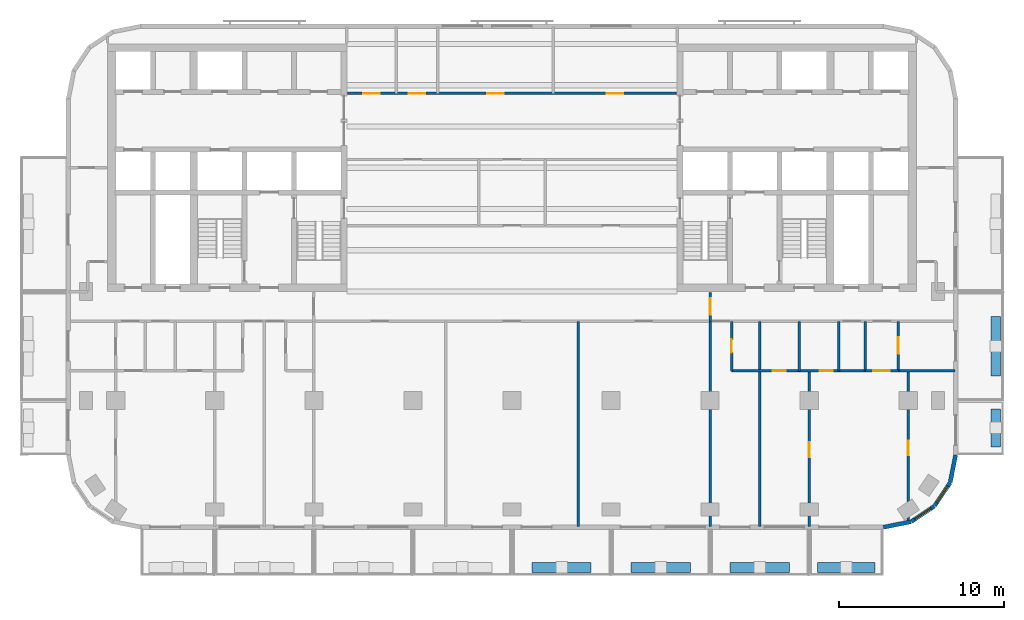
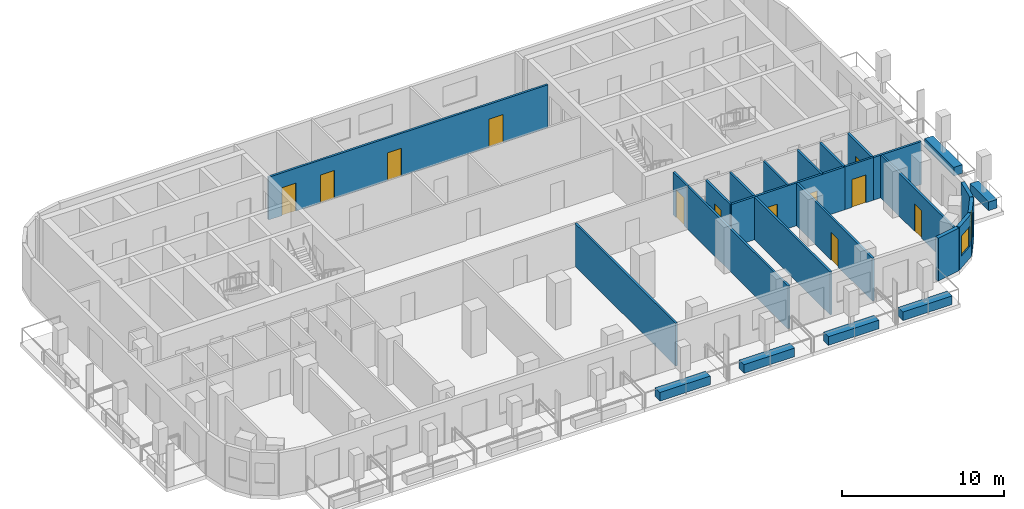
# One storey, part 5 of 11: 25 walls, 12 doors, 2 windows, 14 openings.
"""IFC4 building model written with IfcOpenShell, lengths in metres."""

from ifc_helpers import new_model, si_unit, direction, frame, frame_2d, origin, place, context, subcontext, project, spatial, rectangle, extrude, material, layer, layer_set, type_object, element, fill, save


model = new_model("IFC4")

# Units and contexts
model_context = context("Model", 3, precision=1e-05, world=origin(), true_north=direction((0.0, 1.0)))
body_context = subcontext(model_context, "Body", "Model", "MODEL_VIEW")
ifc_project = project(units=[si_unit("LENGTHUNIT", "METRE"), si_unit("AREAUNIT", "SQUARE_METRE"), si_unit("VOLUMEUNIT", "CUBIC_METRE"), si_unit("PLANEANGLEUNIT", "RADIAN"), si_unit("MASSUNIT", "GRAM", prefix="KILO")], contexts=[model_context])

# Site, building, storey
site_placement = place(None, origin())
site = spatial("IfcSite", under=ifc_project, at=site_placement, CompositionType="ELEMENT")
building_placement = place(site_placement, origin())
building = spatial("IfcBuilding", under=site, at=building_placement, Name="Torana Hotel and Residences", CompositionType="ELEMENT")
storey_placement = place(building_placement, frame((0.0, 0.0, 190.60009765625)))
storey = spatial("IfcBuildingStorey", under=building, at=storey_placement, Name="L49", CompositionType="ELEMENT", Elevation=190.60009765625)

# Wall
ifc_material_1 = material(Name="Black aluminium composite panel", Category="aluminium")
ifc_layer_1 = layer(ifc_material_1, 0.00390625, Name="Cladding", Category="cladding")
ifc_material_2 = material(Name="Ventilated air cavity")
ifc_layer_2 = layer(ifc_material_2, 0.0400390625, Name="Ventilated cavity", Category="cavity")
ifc_material_3 = material(Name="Mineral wool insulation")
ifc_layer_3 = layer(ifc_material_3, 0.090087890625, Name="Insulation", Category="insulation")
ifc_material_4 = material(Name="Steel S280GD", Category="steel")
ifc_layer_4 = layer(ifc_material_4, 0.092041015625, Name="Steel stud frame", Category="structure")
ifc_material_5 = material(Name="Fire rated plasterboard")
ifc_layer_5 = layer(ifc_material_5, 0.011962890625, Name="Inner board", Category="finish")
ifc_layer_6 = layer(ifc_material_5, 0.011962890625, Name="Second board", Category="finish")
ifc_layer_set_1 = layer_set([ifc_layer_1, ifc_layer_2, ifc_layer_3, ifc_layer_4, ifc_layer_5, ifc_layer_6], Name="EW1 EXTERNAL WALL BLACK METAL CLAD 250")
wall_type_1 = type_object("IfcWallType", Name="EW1 EXTERNAL WALL BLACK METAL CLAD 250", PredefinedType="SOLIDWALL", material=ifc_layer_set_1)
wall_1_placement = place(storey_placement, frame((22.499755859375, -29.272705078125, 0.0), z_axis=(0.0, 0.0, 1.0), x_axis=(0.980775640221, 0.19513878023, 0.0)))
element("IfcWall", 1, at=wall_1_placement, inside=storey, type_object=wall_type_1, Name="External wall L49 e0.15", PredefinedType="SOLIDWALL", context=body_context, shape_type="SweptSolid", body=[
    extrude(rectangle(XDim=1.681396484375, YDim=0.25, at=frame_2d((0.8408203125, 0.0))), origin(), (0.0, 0.0, 1.0), 3.219970703125),
])

# Wall, opening, window
wall_2_placement = place(storey_placement, frame((24.194091796875, -28.92578125, 0.0), z_axis=(0.0, 0.0, 1.0), x_axis=(0.831482937015, 0.55555029066, 0.0)))
wall_2 = element("IfcWall", 2, at=wall_2_placement, inside=storey, type_object=wall_type_1, Name="External wall L49 e0.16", PredefinedType="SOLIDWALL", context=body_context, shape_type="SweptSolid", body=[
    extrude(rectangle(XDim=1.65625, YDim=0.25, at=frame_2d((0.828125, 0.0))), origin(), (0.0, 0.0, 1.0), 3.219970703125),
])
opening_1_placement = place(wall_2_placement, frame((0.228271484375, 0.0, 0.89990234375)))
opening_1 = element("IfcOpeningElement", 3, at=opening_1_placement, cuts=wall_2, Name="Opening W5", PredefinedType="OPENING", context=body_context, shape_type="SweptSolid", body=[
    extrude(rectangle(XDim=1.199951171875, YDim=1.5, at=frame_2d((0.60009765625, 0.75))), frame((0.0, 0.135009765625, 0.0), z_axis=(0.0, -1.0, 0.0), x_axis=(1.0, 0.0, 0.0)), (0.0, 0.0, 1.0), 0.27001953125),
])
ifc_material_6 = material(Name="Dark glass in black aluminium frame", Category="aluminium")
window_type = type_object("IfcWindowType", Name="W5 CORNER FACET WINDOW 1200x1500", PartitioningType="SINGLE_PANEL", PredefinedType="WINDOW", material=ifc_material_6)
window_1_placement = place(opening_1_placement, origin())
window_1 = element("IfcWindow", 4, at=window_1_placement, inside=storey, type_object=window_type, Name="Window L49 e0.16", OverallHeight=1.5, OverallWidth=1.199951171875, PartitioningType="SINGLE_PANEL", PredefinedType="WINDOW", context=body_context, shape_type="SweptSolid", body=[
    extrude(rectangle(XDim=1.199951171875, YDim=1.5, at=frame_2d((0.60009765625, 0.75))), frame((0.0, 0.030029296875, 0.0), z_axis=(0.0, -1.0, 0.0), x_axis=(1.0, 0.0, 0.0)), (0.0, 0.0, 1.0), 0.06005859375),
])
fill(opening_1, window_1)

wall_3_placement = place(storey_placement, frame((25.605712890625, -27.97119140625, 0.0), z_axis=(0.0, 0.0, 1.0), x_axis=(0.55555029066, 0.831482937015, 0.0)))
wall_3 = element("IfcWall", 5, at=wall_3_placement, inside=storey, type_object=wall_type_1, Name="External wall L49 e0.17", PredefinedType="SOLIDWALL", context=body_context, shape_type="SweptSolid", body=[
    extrude(rectangle(XDim=1.65625, YDim=0.25, at=frame_2d((0.828125, 0.0))), origin(), (0.0, 0.0, 1.0), 3.219970703125),
])
opening_2_placement = place(wall_3_placement, frame((0.228271484375, 0.0, 0.89990234375)))
opening_2 = element("IfcOpeningElement", 6, at=opening_2_placement, cuts=wall_3, Name="Opening W5", PredefinedType="OPENING", context=body_context, shape_type="SweptSolid", body=[
    extrude(rectangle(XDim=1.199951171875, YDim=1.5, at=frame_2d((0.60009765625, 0.75))), frame((0.0, 0.135009765625, 0.0), z_axis=(0.0, -1.0, 0.0), x_axis=(1.0, 0.0, 0.0)), (0.0, 0.0, 1.0), 0.27001953125),
])
window_2_placement = place(opening_2_placement, origin())
window_2 = element("IfcWindow", 7, at=window_2_placement, inside=storey, type_object=window_type, Name="Window L49 e0.17", OverallHeight=1.5, OverallWidth=1.199951171875, PartitioningType="SINGLE_PANEL", PredefinedType="WINDOW", context=body_context, shape_type="SweptSolid", body=[
    extrude(rectangle(XDim=1.199951171875, YDim=1.5, at=frame_2d((0.60009765625, 0.75))), frame((0.0, 0.030029296875, 0.0), z_axis=(0.0, -1.0, 0.0), x_axis=(1.0, 0.0, 0.0)), (0.0, 0.0, 1.0), 0.06005859375),
])
fill(opening_2, window_2)

# Wall
wall_4_placement = place(storey_placement, frame((26.544677734375, -26.548828125, 0.0), z_axis=(0.0, 0.0, 1.0), x_axis=(0.195026884138, 0.980797896849, 0.0)))
element("IfcWall", 8, at=wall_4_placement, inside=storey, type_object=wall_type_1, Name="External wall L49 e0.18", PredefinedType="SOLIDWALL", context=body_context, shape_type="SweptSolid", body=[
    extrude(rectangle(XDim=1.68115234375, YDim=0.25, at=frame_2d((0.840576171875, 0.0))), origin(), (0.0, 0.0, 1.0), 3.219970703125),
])

# Wall, opening, door
ifc_material_7 = material(Name="Gypsum plaster")
ifc_layer_7 = layer(ifc_material_7, 0.014892578125, Name="Plaster", Category="finish")
ifc_material_8 = material(Name="Concrete blockwork", Category="masonry")
ifc_layer_8 = layer(ifc_material_8, 0.1201171875, Name="Blockwork", Category="structure")
ifc_layer_9 = layer(ifc_material_7, 0.014892578125, Name="Plaster", Category="finish")
ifc_layer_set_2 = layer_set([ifc_layer_7, ifc_layer_8, ifc_layer_9], Name="FIRE PARTITION 150 BLOCKWORK")
wall_type_2 = type_object("IfcWallType", Name="FIRE PARTITION 150 BLOCKWORK", PredefinedType="PARTITIONING", material=ifc_layer_set_2)
wall_5_placement = place(storey_placement, frame((23.39990234375, -19.800048828125, 0.0), z_axis=(0.0, 0.0, 1.0), x_axis=(0.0, 1.0, 0.0)))
wall_5 = element("IfcWall", 9, at=wall_5_placement, inside=storey, type_object=wall_type_2, Name="Partition L49", PredefinedType="PARTITIONING", context=body_context, shape_type="SweptSolid", body=[
    extrude(rectangle(XDim=3.0, YDim=0.14990234375, at=frame_2d((1.5, 0.0))), origin(), (0.0, 0.0, 1.0), 3.219970703125),
])
opening_3_placement = place(wall_5_placement, frame((1.02001953125, 0.0, 0.0)))
opening_3 = element("IfcOpeningElement", 10, at=opening_3_placement, cuts=wall_5, Name="Opening L49-58", PredefinedType="OPENING", context=body_context, shape_type="SweptSolid", body=[
    extrude(rectangle(XDim=1.0, YDim=2.10009765625, at=frame_2d((0.5, 1.050048828125))), frame((0.0, 0.0849609375, 0.0), z_axis=(0.0, -1.0, 0.0), x_axis=(1.0, 0.0, 0.0)), (0.0, 0.0, 1.0), 0.169921875),
])
ifc_material_9 = material(Name="Steel S235", Category="steel")
door_type_1 = type_object("IfcDoorType", Name="ENTRY FIRE DOOR D6 1000x2100", OperationType="SINGLE_SWING_LEFT", PredefinedType="DOOR", material=ifc_material_9)
door_1_placement = place(opening_3_placement, frame((0.5, 0.0, 0.0), z_axis=(0.0, 0.0, 1.0), x_axis=(-1.0, 0.0, 0.0)))
door_1 = element("IfcDoor", 11, at=door_1_placement, inside=storey, type_object=door_type_1, Name="Door L49", OperationType="SINGLE_SWING_LEFT", OverallHeight=2.10009765625, OverallWidth=1.0, PredefinedType="DOOR", context=body_context, shape_type="SweptSolid", body=[
    extrude(rectangle(XDim=1.0, YDim=2.10009765625, at=frame_2d((0.0, 1.050048828125))), frame((0.0, -0.02490234375, 0.0), z_axis=(0.0, 1.0, 0.0), x_axis=(-1.0, 0.0, 0.0)), (0.0, 0.0, 1.0), 0.050048828125),
])
fill(opening_3, door_1)

# Wall
wall_6_placement = place(storey_placement, frame((21.39990234375, -19.800048828125, 0.0), z_axis=(0.0, 0.0, 1.0), x_axis=(0.0, 1.0, 0.0)))
element("IfcWall", 12, at=wall_6_placement, inside=storey, type_object=wall_type_2, Name="Partition L49", PredefinedType="PARTITIONING", context=body_context, shape_type="SweptSolid", body=[
    extrude(rectangle(XDim=3.0, YDim=0.14990234375, at=frame_2d((1.5, 0.0))), origin(), (0.0, 0.0, 1.0), 3.219970703125),
])

# Wall, opening, door
wall_7_placement = place(storey_placement, frame((12.0, -16.800048828125, 0.0), z_axis=(0.0, 0.0, 1.0), x_axis=(0.0, 1.0, 0.0)))
wall_7 = element("IfcWall", 13, at=wall_7_placement, inside=storey, type_object=wall_type_2, Name="Partition L49", PredefinedType="PARTITIONING", context=body_context, shape_type="SweptSolid", body=[
    extrude(rectangle(XDim=1.75, YDim=0.14990234375, at=frame_2d((0.875, 0.0))), origin(), (0.0, 0.0, 1.0), 3.219970703125),
])
opening_4_placement = place(wall_7_placement, frame((0.39990234375, 0.0, 0.0)))
opening_4 = element("IfcOpeningElement", 14, at=opening_4_placement, cuts=wall_7, Name="Opening L49-33", PredefinedType="OPENING", context=body_context, shape_type="SweptSolid", body=[
    extrude(rectangle(XDim=1.0, YDim=2.10009765625, at=frame_2d((0.5, 1.050048828125))), frame((0.0, 0.0849609375, 0.0), z_axis=(0.0, -1.0, 0.0), x_axis=(1.0, 0.0, 0.0)), (0.0, 0.0, 1.0), 0.169921875),
])
door_2_placement = place(opening_4_placement, origin())
door_2 = element("IfcDoor", 15, at=door_2_placement, inside=storey, type_object=door_type_1, Name="Door L49", OperationType="SINGLE_SWING_RIGHT", OverallHeight=2.10009765625, OverallWidth=1.0, PredefinedType="DOOR", context=body_context, shape_type="SweptSolid", body=[
    extrude(rectangle(XDim=1.0, YDim=2.10009765625, at=frame_2d((0.5, 1.050048828125))), frame((0.0, 0.02490234375, 0.0), z_axis=(0.0, -1.0, 0.0), x_axis=(1.0, 0.0, 0.0)), (0.0, 0.0, 1.0), 0.050048828125),
])
fill(opening_4, door_2)

wall_8_placement = place(storey_placement, frame((21.39990234375, -19.800048828125, 0.0), z_axis=(0.0, 0.0, 1.0), x_axis=(1.0, 0.0, 0.0)))
wall_8 = element("IfcWall", 16, at=wall_8_placement, inside=storey, type_object=wall_type_2, Name="Partition L49", PredefinedType="PARTITIONING", context=body_context, shape_type="SweptSolid", body=[
    extrude(rectangle(XDim=2.0, YDim=0.14990234375, at=frame_2d((1.0, 0.0))), origin(), (0.0, 0.0, 1.0), 3.219970703125),
])
opening_5_placement = place(wall_8_placement, frame((0.47998046875, 0.0, 0.0)))
opening_5 = element("IfcOpeningElement", 17, at=opening_5_placement, cuts=wall_8, Name="Opening L49-59", PredefinedType="OPENING", context=body_context, shape_type="SweptSolid", body=[
    extrude(rectangle(XDim=1.0, YDim=2.10009765625, at=frame_2d((0.5, 1.050048828125))), frame((0.0, 0.0849609375, 0.0), z_axis=(0.0, -1.0, 0.0), x_axis=(1.0, 0.0, 0.0)), (0.0, 0.0, 1.0), 0.169921875),
])
door_3_placement = place(opening_5_placement, frame((0.5, 0.0, 0.0), z_axis=(0.0, 0.0, 1.0), x_axis=(-1.0, 0.0, 0.0)))
door_3 = element("IfcDoor", 18, at=door_3_placement, inside=storey, type_object=door_type_1, Name="Door L49", OperationType="SINGLE_SWING_RIGHT", OverallHeight=2.10009765625, OverallWidth=1.0, PredefinedType="DOOR", context=body_context, shape_type="SweptSolid", body=[
    extrude(rectangle(XDim=1.0, YDim=2.10009765625, at=frame_2d((0.0, 1.050048828125))), frame((0.0, -0.02490234375, 0.0), z_axis=(0.0, 1.0, 0.0), x_axis=(-1.0, 0.0, 0.0)), (0.0, 0.0, 1.0), 0.050048828125),
])
fill(opening_5, door_3)

# Wall, openings, doors
wall_9_placement = place(storey_placement, frame((-9.949951171875, -3.0, 0.0), z_axis=(0.0, 0.0, 1.0), x_axis=(1.0, 0.0, 0.0)))
wall_9 = element("IfcWall", 19, at=wall_9_placement, inside=storey, type_object=wall_type_2, Name="Partition L49", PredefinedType="PARTITIONING", context=body_context, shape_type="SweptSolid", body=[
    extrude(rectangle(XDim=19.89990234375, YDim=0.14990234375, at=frame_2d((9.949951171875, 0.0))), origin(), (0.0, 0.0, 1.0), 3.219970703125),
])
opening_6_placement = place(wall_9_placement, frame((0.949951171875, 0.0, 0.0)))
opening_6 = element("IfcOpeningElement", 20, at=opening_6_placement, cuts=wall_9, Name="Opening L49-45", PredefinedType="OPENING", context=body_context, shape_type="SweptSolid", body=[
    extrude(rectangle(XDim=1.0, YDim=2.10009765625, at=frame_2d((0.5, 1.050048828125))), frame((0.0, 0.0849609375, 0.0), z_axis=(0.0, -1.0, 0.0), x_axis=(1.0, 0.0, 0.0)), (0.0, 0.0, 1.0), 0.169921875),
])
opening_7_placement = place(wall_9_placement, frame((3.699951171875, 0.0, 0.0)))
opening_7 = element("IfcOpeningElement", 21, at=opening_7_placement, cuts=wall_9, Name="Opening L49-46", PredefinedType="OPENING", context=body_context, shape_type="SweptSolid", body=[
    extrude(rectangle(XDim=1.0, YDim=2.10009765625, at=frame_2d((0.5, 1.050048828125))), frame((0.0, 0.0849609375, 0.0), z_axis=(0.0, -1.0, 0.0), x_axis=(1.0, 0.0, 0.0)), (0.0, 0.0, 1.0), 0.169921875),
])
opening_8_placement = place(wall_9_placement, frame((8.449951171875, 0.0, 0.0)))
opening_8 = element("IfcOpeningElement", 22, at=opening_8_placement, cuts=wall_9, Name="Opening L49-47", PredefinedType="OPENING", context=body_context, shape_type="SweptSolid", body=[
    extrude(rectangle(XDim=1.0, YDim=2.10009765625, at=frame_2d((0.5, 1.050048828125))), frame((0.0, 0.0849609375, 0.0), z_axis=(0.0, -1.0, 0.0), x_axis=(1.0, 0.0, 0.0)), (0.0, 0.0, 1.0), 0.169921875),
])
opening_9_placement = place(wall_9_placement, frame((15.699951171875, 0.0, 0.0)))
opening_9 = element("IfcOpeningElement", 23, at=opening_9_placement, cuts=wall_9, Name="Opening L49-48", PredefinedType="OPENING", context=body_context, shape_type="SweptSolid", body=[
    extrude(rectangle(XDim=1.0, YDim=2.10009765625, at=frame_2d((0.5, 1.050048828125))), frame((0.0, 0.0849609375, 0.0), z_axis=(0.0, -1.0, 0.0), x_axis=(1.0, 0.0, 0.0)), (0.0, 0.0, 1.0), 0.169921875),
])
door_4_placement = place(opening_6_placement, origin())
door_4 = element("IfcDoor", 24, at=door_4_placement, inside=storey, type_object=door_type_1, Name="Door L49", OperationType="SINGLE_SWING_RIGHT", OverallHeight=2.10009765625, OverallWidth=1.0, PredefinedType="DOOR", context=body_context, shape_type="SweptSolid", body=[
    extrude(rectangle(XDim=1.0, YDim=2.10009765625, at=frame_2d((0.5, 1.050048828125))), frame((0.0, 0.02490234375, 0.0), z_axis=(0.0, -1.0, 0.0), x_axis=(1.0, 0.0, 0.0)), (0.0, 0.0, 1.0), 0.050048828125),
])
fill(opening_6, door_4)
door_5_placement = place(opening_7_placement, origin())
door_5 = element("IfcDoor", 25, at=door_5_placement, inside=storey, type_object=door_type_1, Name="Door L49", OperationType="SINGLE_SWING_RIGHT", OverallHeight=2.10009765625, OverallWidth=1.0, PredefinedType="DOOR", context=body_context, shape_type="SweptSolid", body=[
    extrude(rectangle(XDim=1.0, YDim=2.10009765625, at=frame_2d((0.5, 1.050048828125))), frame((0.0, 0.02490234375, 0.0), z_axis=(0.0, -1.0, 0.0), x_axis=(1.0, 0.0, 0.0)), (0.0, 0.0, 1.0), 0.050048828125),
])
fill(opening_7, door_5)
door_6_placement = place(opening_8_placement, origin())
door_6 = element("IfcDoor", 26, at=door_6_placement, inside=storey, type_object=door_type_1, Name="Door L49", OperationType="SINGLE_SWING_RIGHT", OverallHeight=2.10009765625, OverallWidth=1.0, PredefinedType="DOOR", context=body_context, shape_type="SweptSolid", body=[
    extrude(rectangle(XDim=1.0, YDim=2.10009765625, at=frame_2d((0.5, 1.050048828125))), frame((0.0, 0.02490234375, 0.0), z_axis=(0.0, -1.0, 0.0), x_axis=(1.0, 0.0, 0.0)), (0.0, 0.0, 1.0), 0.050048828125),
])
fill(opening_8, door_6)
door_7_placement = place(opening_9_placement, origin())
door_7 = element("IfcDoor", 27, at=door_7_placement, inside=storey, type_object=door_type_1, Name="Door L49", OperationType="SINGLE_SWING_RIGHT", OverallHeight=2.10009765625, OverallWidth=1.0, PredefinedType="DOOR", context=body_context, shape_type="SweptSolid", body=[
    extrude(rectangle(XDim=1.0, YDim=2.10009765625, at=frame_2d((0.5, 1.050048828125))), frame((0.0, 0.02490234375, 0.0), z_axis=(0.0, -1.0, 0.0), x_axis=(1.0, 0.0, 0.0)), (0.0, 0.0, 1.0), 0.050048828125),
])
fill(opening_9, door_7)

# Wall, opening, door
ifc_material_10 = material(Name="Gypsum plasterboard")
ifc_layer_10 = layer(ifc_material_10, 0.012451171875, Name="Plasterboard", Category="finish")
ifc_layer_11 = layer(ifc_material_10, 0.012451171875, Name="Plasterboard", Category="finish")
ifc_layer_12 = layer(ifc_material_4, 0.10009765625, Name="Steel studs with mineral wool", Category="insulation")
ifc_layer_13 = layer(ifc_material_10, 0.012451171875, Name="Plasterboard", Category="finish")
ifc_layer_14 = layer(ifc_material_10, 0.012451171875, Name="Plasterboard", Category="finish")
ifc_layer_set_3 = layer_set([ifc_layer_10, ifc_layer_11, ifc_layer_12, ifc_layer_13, ifc_layer_14], Name="PARTITION 150 PLASTERBOARD")
wall_type_3 = type_object("IfcWallType", Name="PARTITION 150 PLASTERBOARD", PredefinedType="PARTITIONING", material=ifc_layer_set_3)
wall_10_placement = place(storey_placement, frame((24.0, -28.918212890625, 0.0), z_axis=(0.0, 0.0, 1.0), x_axis=(0.0, 1.0, 0.0)))
wall_10 = element("IfcWall", 28, at=wall_10_placement, inside=storey, type_object=wall_type_3, Name="Partition L49", PredefinedType="PARTITIONING", context=body_context, shape_type="SweptSolid", body=[
    extrude(rectangle(XDim=9.1181640625, YDim=0.14990234375, at=frame_2d((4.55908203125, 0.0))), origin(), (0.0, 0.0, 1.0), 3.219970703125),
])
opening_10_placement = place(wall_10_placement, frame((3.998046875, 0.0, 0.0)))
opening_10 = element("IfcOpeningElement", 29, at=opening_10_placement, cuts=wall_10, Name="Opening L49-61", PredefinedType="OPENING", context=body_context, shape_type="SweptSolid", body=[
    extrude(rectangle(XDim=0.89990234375, YDim=2.10009765625, at=frame_2d((0.449951171875, 1.050048828125))), frame((0.0, 0.0849609375, 0.0), z_axis=(0.0, -1.0, 0.0), x_axis=(1.0, 0.0, 0.0)), (0.0, 0.0, 1.0), 0.169921875),
])
ifc_material_11 = material(Name="Timber door, oiled ash", Category="wood")
door_type_2 = type_object("IfcDoorType", Name="ROOM DOOR D7 900x2100", OperationType="SINGLE_SWING_LEFT", PredefinedType="DOOR", material=ifc_material_11)
door_8_placement = place(opening_10_placement, origin())
door_8 = element("IfcDoor", 30, at=door_8_placement, inside=storey, type_object=door_type_2, Name="Door L49", OperationType="SINGLE_SWING_RIGHT", OverallHeight=2.10009765625, OverallWidth=0.89990234375, PredefinedType="DOOR", context=body_context, shape_type="SweptSolid", body=[
    extrude(rectangle(XDim=0.89990234375, YDim=2.10009765625, at=frame_2d((0.449951171875, 1.050048828125))), frame((0.0, 0.02490234375, 0.0), z_axis=(0.0, -1.0, 0.0), x_axis=(1.0, 0.0, 0.0)), (0.0, 0.0, 1.0), 0.050048828125),
])
fill(opening_10, door_8)

# Wall
wall_11_placement = place(storey_placement, frame((19.800048828125, -19.800048828125, 0.0), z_axis=(0.0, 0.0, 1.0), x_axis=(0.0, 1.0, 0.0)))
element("IfcWall", 31, at=wall_11_placement, inside=storey, type_object=wall_type_3, Name="Partition L49", PredefinedType="PARTITIONING", context=body_context, shape_type="SweptSolid", body=[
    extrude(rectangle(XDim=3.0, YDim=0.14990234375, at=frame_2d((1.5, 0.0))), origin(), (0.0, 0.0, 1.0), 3.219970703125),
])

# Wall, opening, door
wall_12_placement = place(storey_placement, frame((18.0, -29.219970703125, 0.0), z_axis=(0.0, 0.0, 1.0), x_axis=(0.0, 1.0, 0.0)))
wall_12 = element("IfcWall", 32, at=wall_12_placement, inside=storey, type_object=wall_type_3, Name="Partition L49", PredefinedType="PARTITIONING", context=body_context, shape_type="SweptSolid", body=[
    extrude(rectangle(XDim=9.419921875, YDim=0.14990234375, at=frame_2d((4.7099609375, 0.0))), origin(), (0.0, 0.0, 1.0), 3.219970703125),
])
opening_11_placement = place(wall_12_placement, frame((4.18994140625, 0.0, 0.0)))
opening_11 = element("IfcOpeningElement", 33, at=opening_11_placement, cuts=wall_12, Name="Opening L49-60", PredefinedType="OPENING", context=body_context, shape_type="SweptSolid", body=[
    extrude(rectangle(XDim=0.89990234375, YDim=2.10009765625, at=frame_2d((0.449951171875, 1.050048828125))), frame((0.0, 0.0849609375, 0.0), z_axis=(0.0, -1.0, 0.0), x_axis=(1.0, 0.0, 0.0)), (0.0, 0.0, 1.0), 0.169921875),
])
door_9_placement = place(opening_11_placement, origin())
door_9 = element("IfcDoor", 34, at=door_9_placement, inside=storey, type_object=door_type_2, Name="Door L49", OperationType="SINGLE_SWING_RIGHT", OverallHeight=2.10009765625, OverallWidth=0.89990234375, PredefinedType="DOOR", context=body_context, shape_type="SweptSolid", body=[
    extrude(rectangle(XDim=0.89990234375, YDim=2.10009765625, at=frame_2d((0.449951171875, 1.050048828125))), frame((0.0, 0.02490234375, 0.0), z_axis=(0.0, -1.0, 0.0), x_axis=(1.0, 0.0, 0.0)), (0.0, 0.0, 1.0), 0.050048828125),
])
fill(opening_11, door_9)

# Walls
wall_13_placement = place(storey_placement, frame((17.39990234375, -19.800048828125, 0.0), z_axis=(0.0, 0.0, 1.0), x_axis=(0.0, 1.0, 0.0)))
element("IfcWall", 35, at=wall_13_placement, inside=storey, type_object=wall_type_3, Name="Partition L49", PredefinedType="PARTITIONING", context=body_context, shape_type="SweptSolid", body=[
    extrude(rectangle(XDim=3.0, YDim=0.14990234375, at=frame_2d((1.5, 0.0))), origin(), (0.0, 0.0, 1.0), 3.219970703125),
])
wall_14_placement = place(storey_placement, frame((15.0, -29.219970703125, 0.0), z_axis=(0.0, 0.0, 1.0), x_axis=(0.0, 1.0, 0.0)))
element("IfcWall", 36, at=wall_14_placement, inside=storey, type_object=wall_type_3, Name="Partition L49", PredefinedType="PARTITIONING", context=body_context, shape_type="SweptSolid", body=[
    extrude(rectangle(XDim=12.419921875, YDim=0.14990234375, at=frame_2d((6.2099609375, 0.0))), origin(), (0.0, 0.0, 1.0), 3.219970703125),
])

# Wall, opening, door
wall_15_placement = place(storey_placement, frame((13.300048828125, -19.800048828125, 0.0), z_axis=(0.0, 0.0, 1.0), x_axis=(0.0, 1.0, 0.0)))
wall_15 = element("IfcWall", 37, at=wall_15_placement, inside=storey, type_object=wall_type_3, Name="Partition L49", PredefinedType="PARTITIONING", context=body_context, shape_type="SweptSolid", body=[
    extrude(rectangle(XDim=3.0, YDim=0.14990234375, at=frame_2d((1.5, 0.0))), origin(), (0.0, 0.0, 1.0), 3.219970703125),
])
opening_12_placement = place(wall_15_placement, frame((1.10009765625, 0.0, 0.0)))
opening_12 = element("IfcOpeningElement", 38, at=opening_12_placement, cuts=wall_15, Name="Opening L49-51", PredefinedType="OPENING", context=body_context, shape_type="SweptSolid", body=[
    extrude(rectangle(XDim=0.800048828125, YDim=2.10009765625, at=frame_2d((0.39990234375, 1.050048828125))), frame((0.0, 0.0849609375, 0.0), z_axis=(0.0, -1.0, 0.0), x_axis=(1.0, 0.0, 0.0)), (0.0, 0.0, 1.0), 0.169921875),
])
ifc_material_12 = material(Name="Timber door, painted", Category="wood")
door_type_3 = type_object("IfcDoorType", Name="BATH DOOR D13 800x2100", OperationType="SINGLE_SWING_LEFT", PredefinedType="DOOR", material=ifc_material_12)
door_10_placement = place(opening_12_placement, origin())
door_10 = element("IfcDoor", 39, at=door_10_placement, inside=storey, type_object=door_type_3, Name="Door L49", OperationType="SINGLE_SWING_LEFT", OverallHeight=2.10009765625, OverallWidth=0.800048828125, PredefinedType="DOOR", context=body_context, shape_type="SweptSolid", body=[
    extrude(rectangle(XDim=0.800048828125, YDim=2.10009765625, at=frame_2d((0.39990234375, 1.050048828125))), frame((0.0, 0.02490234375, 0.0), z_axis=(0.0, -1.0, 0.0), x_axis=(1.0, 0.0, 0.0)), (0.0, 0.0, 1.0), 0.050048828125),
])
fill(opening_12, door_10)

# Walls
for number, where, z_axis, x_axis, name in (
    (40, (12.0, -29.219970703125, 0.0), (0.0, 0.0, 1.0), (0.0, 1.0, 0.0), "Partition L49"),
    (41, (4.0, -29.219970703125, 0.0), (0.0, 0.0, 1.0), (0.0, 1.0, 0.0), "Partition L49"),
):
    element("IfcWall", number, at=place(storey_placement, frame(where, z_axis=z_axis, x_axis=x_axis)), inside=storey, type_object=wall_type_3, Name=name, PredefinedType="PARTITIONING", context=body_context, shape_type="SweptSolid", body=[
        extrude(rectangle(XDim=12.419921875, YDim=0.14990234375, at=frame_2d((6.2099609375, 0.0))), origin(), (0.0, 0.0, 1.0), 3.219970703125),
    ])

# Wall, openings, doors
wall_16_placement = place(storey_placement, frame((13.300048828125, -19.800048828125, 0.0), z_axis=(0.0, 0.0, 1.0), x_axis=(1.0, 0.0, 0.0)))
wall_16 = element("IfcWall", 42, at=wall_16_placement, inside=storey, type_object=wall_type_3, Name="Partition L49", PredefinedType="PARTITIONING", context=body_context, shape_type="SweptSolid", body=[
    extrude(rectangle(XDim=8.099853515625, YDim=0.14990234375, at=frame_2d((4.0498046875, 0.0))), origin(), (0.0, 0.0, 1.0), 3.219970703125),
])
opening_13_placement = place(wall_16_placement, frame((2.47998046875, 0.0, 0.0)))
opening_13 = element("IfcOpeningElement", 43, at=opening_13_placement, cuts=wall_16, Name="Opening L49-56", PredefinedType="OPENING", context=body_context, shape_type="SweptSolid", body=[
    extrude(rectangle(XDim=0.800048828125, YDim=2.10009765625, at=frame_2d((0.39990234375, 1.050048828125))), frame((0.0, 0.0849609375, 0.0), z_axis=(0.0, -1.0, 0.0), x_axis=(1.0, 0.0, 0.0)), (0.0, 0.0, 1.0), 0.169921875),
])
opening_14_placement = place(wall_16_placement, frame((5.330078125, 0.0, 0.0)))
opening_14 = element("IfcOpeningElement", 44, at=opening_14_placement, cuts=wall_16, Name="Opening L49-57", PredefinedType="OPENING", context=body_context, shape_type="SweptSolid", body=[
    extrude(rectangle(XDim=0.800048828125, YDim=2.10009765625, at=frame_2d((0.39990234375, 1.050048828125))), frame((0.0, 0.0849609375, 0.0), z_axis=(0.0, -1.0, 0.0), x_axis=(1.0, 0.0, 0.0)), (0.0, 0.0, 1.0), 0.169921875),
])
door_11_placement = place(opening_13_placement, origin())
door_11 = element("IfcDoor", 45, at=door_11_placement, inside=storey, type_object=door_type_3, Name="Door L49", OperationType="SINGLE_SWING_RIGHT", OverallHeight=2.10009765625, OverallWidth=0.800048828125, PredefinedType="DOOR", context=body_context, shape_type="SweptSolid", body=[
    extrude(rectangle(XDim=0.800048828125, YDim=2.10009765625, at=frame_2d((0.39990234375, 1.050048828125))), frame((0.0, 0.02490234375, 0.0), z_axis=(0.0, -1.0, 0.0), x_axis=(1.0, 0.0, 0.0)), (0.0, 0.0, 1.0), 0.050048828125),
])
fill(opening_13, door_11)
door_12_placement = place(opening_14_placement, origin())
door_12 = element("IfcDoor", 46, at=door_12_placement, inside=storey, type_object=door_type_3, Name="Door L49", OperationType="SINGLE_SWING_LEFT", OverallHeight=2.10009765625, OverallWidth=0.800048828125, PredefinedType="DOOR", context=body_context, shape_type="SweptSolid", body=[
    extrude(rectangle(XDim=0.800048828125, YDim=2.10009765625, at=frame_2d((0.39990234375, 1.050048828125))), frame((0.0, 0.02490234375, 0.0), z_axis=(0.0, -1.0, 0.0), x_axis=(1.0, 0.0, 0.0)), (0.0, 0.0, 1.0), 0.050048828125),
])
fill(opening_14, door_12)

# Walls
wall_17_placement = place(storey_placement, frame((23.39990234375, -19.800048828125, 0.0), z_axis=(0.0, 0.0, 1.0), x_axis=(1.0, 0.0, 0.0)))
element("IfcWall", 47, at=wall_17_placement, inside=storey, type_object=wall_type_3, Name="Partition L49", PredefinedType="PARTITIONING", context=body_context, shape_type="SweptSolid", body=[
    extrude(rectangle(XDim=3.420166015625, YDim=0.14990234375, at=frame_2d((1.7099609375, 0.0))), origin(), (0.0, 0.0, 1.0), 3.219970703125),
])
ifc_material_13 = material(Name="Concrete C40/50 precast", Category="concrete")
ifc_layer_15 = layer(ifc_material_13, 0.10009765625, Name="Planter shell", Category="structure")
ifc_material_14 = material(Name="Root resistant membrane")
ifc_layer_16 = layer(ifc_material_14, 0.00390625, Name="Waterproofing membrane", Category="membrane")
ifc_material_15 = material(Name="Drainage board with filter fleece")
ifc_layer_17 = layer(ifc_material_15, 0.02001953125, Name="Drainage board", Category="drainage")
ifc_material_16 = material(Name="Growing medium")
ifc_layer_18 = layer(ifc_material_16, 0.47607421875, Name="Planting substrate", Category="soil")
ifc_layer_set_4 = layer_set([ifc_layer_15, ifc_layer_16, ifc_layer_17, ifc_layer_18], Name="PL1 BALCONY PLANTER 600")
wall_type_4 = type_object("IfcWallType", Name="PL1 BALCONY PLANTER 600", PredefinedType="USERDEFINED", material=ifc_layer_set_4)
for number, where, z_axis, x_axis, name in (
    (48, (4.800048828125, -31.699951171875, 0.0), (0.0, 0.0, 1.0), (-1.0, 0.0, 0.0), "Planter 05"),
    (49, (10.800048828125, -31.699951171875, 0.0), (0.0, 0.0, 1.0), (-1.0, 0.0, 0.0), "Planter 06"),
    (50, (16.800048828125, -31.699951171875, 0.0), (0.0, 0.0, 1.0), (-1.0, 0.0, 0.0), "Planter 07"),
):
    element("IfcWall", number, at=place(storey_placement, frame(where, z_axis=z_axis, x_axis=x_axis)), inside=storey, type_object=wall_type_4, Name=name, ObjectType="PLANTER", PredefinedType="USERDEFINED", context=body_context, shape_type="SweptSolid", body=[
        extrude(rectangle(XDim=3.60009765625, YDim=0.60009765625, at=frame_2d((1.800048828125, 0.0))), origin(), (0.0, 0.0, 1.0), 0.64990234375),
    ])
wall_18_placement = place(storey_placement, frame((22.0, -31.699951171875, 0.0), z_axis=(0.0, 0.0, 1.0), x_axis=(-1.0, 0.0, 0.0)))
element("IfcWall", 51, at=wall_18_placement, inside=storey, type_object=wall_type_4, Name="Planter 08", ObjectType="PLANTER", PredefinedType="USERDEFINED", context=body_context, shape_type="SweptSolid", body=[
    extrude(rectangle(XDim=3.5, YDim=0.60009765625, at=frame_2d((1.75, 0.0))), origin(), (0.0, 0.0, 1.0), 0.64990234375),
])
wall_19_placement = place(storey_placement, frame((29.300048828125, -22.10009765625, 0.0), z_axis=(0.0, 0.0, 1.0), x_axis=(0.0, -1.0, 0.0)))
element("IfcWall", 52, at=wall_19_placement, inside=storey, type_object=wall_type_4, Name="Planter 12", ObjectType="PLANTER", PredefinedType="USERDEFINED", context=body_context, shape_type="SweptSolid", body=[
    extrude(rectangle(XDim=2.2998046875, YDim=0.60009765625, at=frame_2d((1.14990234375, 0.0))), origin(), (0.0, 0.0, 1.0), 0.64990234375),
])
wall_20_placement = place(storey_placement, frame((29.300048828125, -16.5, 0.0), z_axis=(0.0, 0.0, 1.0), x_axis=(0.0, -1.0, 0.0)))
element("IfcWall", 53, at=wall_20_placement, inside=storey, type_object=wall_type_4, Name="Planter 13", ObjectType="PLANTER", PredefinedType="USERDEFINED", context=body_context, shape_type="SweptSolid", body=[
    extrude(rectangle(XDim=3.60009765625, YDim=0.60009765625, at=frame_2d((1.800048828125, 0.0))), origin(), (0.0, 0.0, 1.0), 0.64990234375),
])

save(model, "model.ifc")
